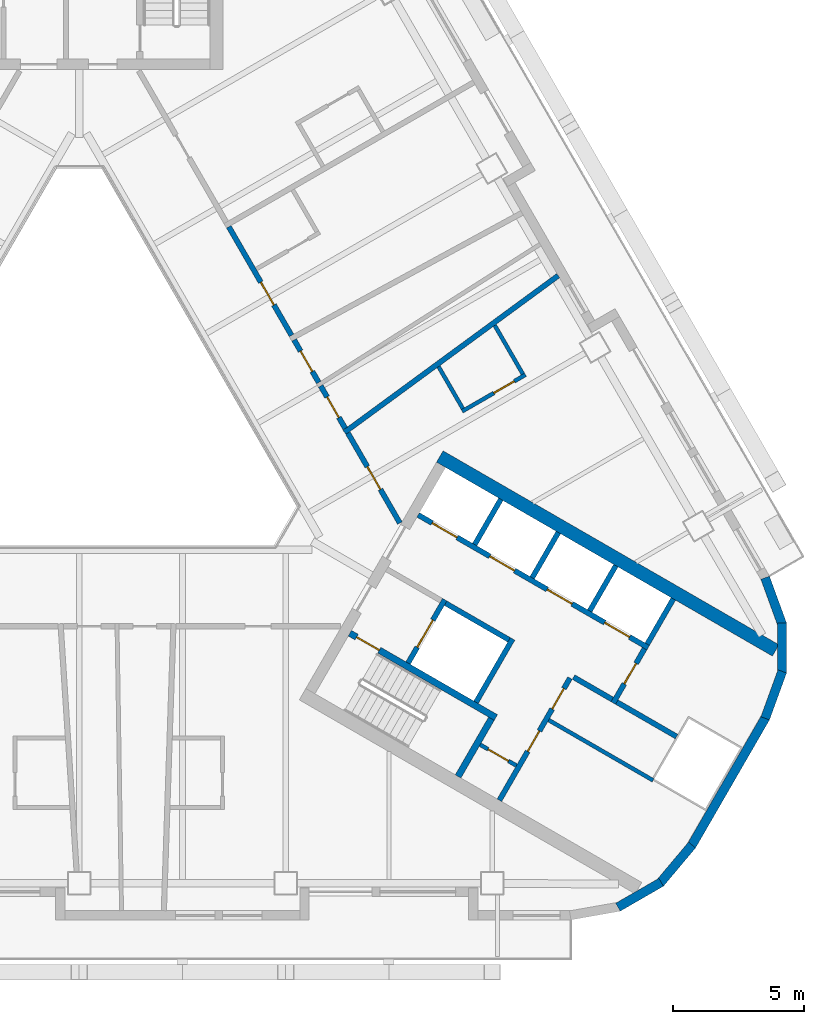
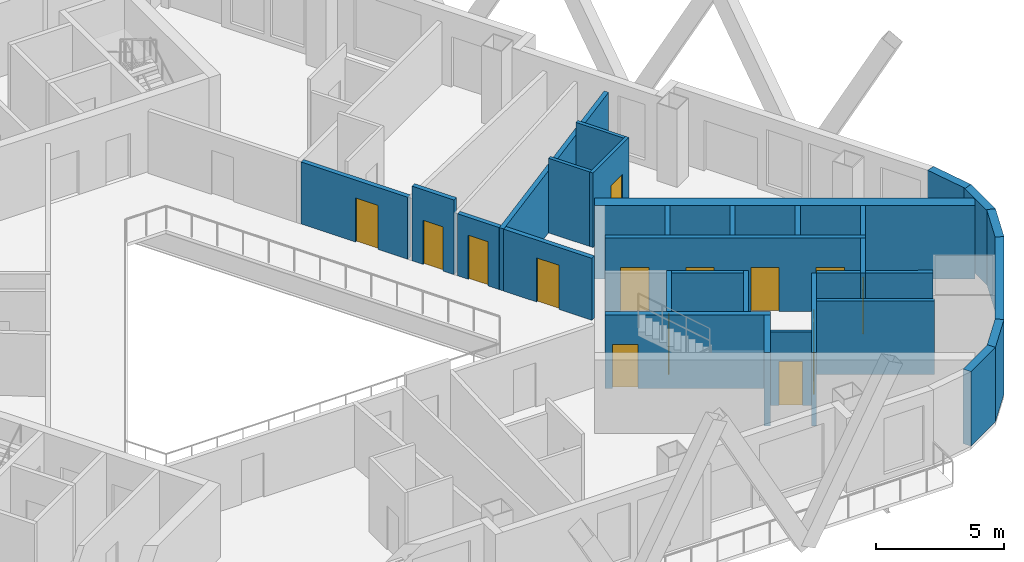
# One storey, part 5 of 14: 31 walls, 15 doors, 15 openings.
"""IFC4 building model written with IfcOpenShell, lengths in metres."""

from ifc_helpers import new_model, si_unit, direction, frame, frame_2d, origin, place, context, subcontext, project, spatial, rectangle, extrude, material, layer, layer_set, type_object, element, fill, save


model = new_model("IFC4")

# Units and contexts
model_context = context("Model", 3, precision=1e-05, world=origin(), true_north=direction((0.0, 1.0)))
body_context = subcontext(model_context, "Body", "Model", "MODEL_VIEW")
ifc_project = project(units=[si_unit("LENGTHUNIT", "METRE"), si_unit("AREAUNIT", "SQUARE_METRE"), si_unit("VOLUMEUNIT", "CUBIC_METRE"), si_unit("PLANEANGLEUNIT", "RADIAN"), si_unit("MASSUNIT", "GRAM", prefix="KILO")], contexts=[model_context])

# Site, building, storey
site_placement = place(None, origin())
site = spatial("IfcSite", under=ifc_project, at=site_placement, CompositionType="ELEMENT")
building_placement = place(site_placement, origin())
building = spatial("IfcBuilding", under=site, at=building_placement, Name="Apuvela Tower Hotel", CompositionType="ELEMENT")
storey_placement = place(building_placement, frame((0.0, 0.0, 113.10009765625)))
storey = spatial("IfcBuildingStorey", under=building, at=storey_placement, Name="L26", CompositionType="ELEMENT", Elevation=113.10009765625)

# Wall
ifc_material_1 = material(Name="Concrete C50/60", Category="concrete")
ifc_layer_1 = layer(ifc_material_1, 0.5)
ifc_layer_set_1 = layer_set([ifc_layer_1], Name="COR-WALL-CORE-500")
wall_type_1 = type_object("IfcWallType", Name="COR-WALL-CORE-500", PredefinedType="SHEAR", material=ifc_layer_set_1)
wall_1_placement = place(storey_placement, frame((13.796630859375, -1.9033203125, 0.0), z_axis=(0.0, 0.0, 1.0), x_axis=(0.866025009528, -0.500000682871, 0.0)))
element("IfcWall", 1, at=wall_1_placement, inside=storey, type_object=wall_type_1, Name="Core wall SE", PredefinedType="SHEAR", context=body_context, shape_type="SweptSolid", body=[
    extrude(rectangle(XDim=14.8369140625, YDim=0.5, at=frame_2d((7.41845703125, 0.0))), origin(), (0.0, 0.0, 1.0), 3.5),
])

# Wall, opening, door
ifc_material_2 = material(Name="Blockwork 150 mm plastered", Category="masonry")
ifc_layer_2 = layer(ifc_material_2, 0.14990234375)
ifc_layer_set_2 = layer_set([ifc_layer_2], Name="COR-WALL-PART-150")
wall_type_2 = type_object("IfcWallType", Name="COR-WALL-PART-150", PredefinedType="PARTITIONING", material=ifc_layer_set_2)
wall_2_placement = place(storey_placement, frame((15.341552734375, -12.927734375, 0.0), z_axis=(0.0, 0.0, 1.0), x_axis=(0.865989903783, -0.500061482766, 0.0)))
wall_2 = element("IfcWall", 2, at=wall_2_placement, inside=storey, type_object=wall_type_2, Name="Partition SE", PredefinedType="PARTITIONING", context=body_context, shape_type="SweptSolid", body=[
    extrude(rectangle(XDim=1.599853515625, YDim=0.14990234375, at=frame_2d((0.7998046875, 0.0))), origin(), (0.0, 0.0, 1.0), 3.5),
])
opening_1_placement = place(wall_2_placement, frame((0.35009765625, 0.0, 0.0)))
opening_1 = element("IfcOpeningElement", 3, at=opening_1_placement, cuts=wall_2, Name="Opening E-RD", PredefinedType="OPENING", context=body_context, shape_type="SweptSolid", body=[
    extrude(rectangle(XDim=0.89990234375, YDim=2.10009765625, at=frame_2d((0.449951171875, 1.050048828125))), frame((0.0, 0.0849609375, 0.0), z_axis=(0.0, -1.0, 0.0), x_axis=(1.0, 0.0, 0.0)), (0.0, 0.0, 1.0), 0.169921875),
])
ifc_material_3 = material(Name="Steel access door, powder coated", Category="steel")
door_type_1 = type_object("IfcDoorType", Name="COR-RD-900", OperationType="NOTDEFINED", PredefinedType="DOOR", material=ifc_material_3)
door_1_placement = place(opening_1_placement, frame((0.89990234375, 0.0, 0.0), z_axis=(0.0, 0.0, 1.0), x_axis=(-1.0, 0.0, 0.0)))
door_1 = element("IfcDoor", 4, at=door_1_placement, inside=storey, type_object=door_type_1, Name="Riser door E-RD", OperationType="SINGLE_SWING_LEFT", OverallHeight=2.10009765625, OverallWidth=0.89990234375, PredefinedType="DOOR", context=body_context, shape_type="SweptSolid", body=[
    extrude(rectangle(XDim=0.89990234375, YDim=2.10009765625, at=frame_2d((0.449951171875, 1.050048828125))), frame((0.0, 0.02490234375, 0.0), z_axis=(0.0, -1.0, 0.0), x_axis=(1.0, 0.0, 0.0)), (0.0, 0.0, 1.0), 0.050048828125),
])
fill(opening_1, door_1)

# Wall
wall_3_placement = place(storey_placement, frame((17.962890625, -11.9873046875, 0.0), z_axis=(0.0, 0.0, 1.0), x_axis=(0.865998608524, -0.500046407882, 0.0)))
element("IfcWall", 5, at=wall_3_placement, inside=storey, type_object=wall_type_2, Name="Partition SE", PredefinedType="PARTITIONING", context=body_context, shape_type="SweptSolid", body=[
    extrude(rectangle(XDim=4.60986328125, YDim=0.14990234375, at=frame_2d((2.304931640625, 0.0))), origin(), (0.0, 0.0, 1.0), 3.5),
])

# Wall, openings, doors
ifc_material_4 = material(Name="Blockwork 200 mm plastered", Category="masonry")
ifc_layer_3 = layer(ifc_material_4, 0.199951171875)
ifc_layer_set_3 = layer_set([ifc_layer_3], Name="COR-WALL-PART-200")
wall_type_3 = type_object("IfcWallType", Name="COR-WALL-PART-200", PredefinedType="PARTITIONING", material=ifc_layer_set_3)
wall_4_placement = place(storey_placement, frame((16.076171875, -15.05517578125, 0.0), z_axis=(0.0, 0.0, 1.0), x_axis=(0.499995103361, 0.866028230842, 0.0)))
wall_4 = element("IfcWall", 6, at=wall_4_placement, inside=storey, type_object=wall_type_3, Name="Partition SE", PredefinedType="PARTITIONING", context=body_context, shape_type="SweptSolid", body=[
    extrude(rectangle(XDim=5.39990234375, YDim=0.199951171875, at=frame_2d((2.699951171875, 0.0))), origin(), (0.0, 0.0, 1.0), 3.5),
])
opening_2_placement = place(wall_4_placement, frame((2.16259765625, 0.0, 0.0)))
opening_2 = element("IfcOpeningElement", 7, at=opening_2_placement, cuts=wall_4, Name="Opening E-RS1", PredefinedType="OPENING", context=body_context, shape_type="SweptSolid", body=[
    extrude(rectangle(XDim=0.89990234375, YDim=2.10009765625, at=frame_2d((0.449951171875, 1.050048828125))), frame((0.0, 0.10986328125, 0.0), z_axis=(0.0, -1.0, 0.0), x_axis=(1.0, 0.0, 0.0)), (0.0, 0.0, 1.0), 0.219970703125),
])
opening_3_placement = place(wall_4_placement, frame((4.03759765625, 0.0, 0.0)))
opening_3 = element("IfcOpeningElement", 8, at=opening_3_placement, cuts=wall_4, Name="Opening E-RS2", PredefinedType="OPENING", context=body_context, shape_type="SweptSolid", body=[
    extrude(rectangle(XDim=0.89990234375, YDim=2.10009765625, at=frame_2d((0.449951171875, 1.050048828125))), frame((0.0, 0.10986328125, 0.0), z_axis=(0.0, -1.0, 0.0), x_axis=(1.0, 0.0, 0.0)), (0.0, 0.0, 1.0), 0.219970703125),
])
ifc_material_5 = material(Name="Steel fire door, powder coated", Category="steel")
door_type_2 = type_object("IfcDoorType", Name="COR-DR-900", OperationType="NOTDEFINED", PredefinedType="DOOR", material=ifc_material_5)
door_2_placement = place(opening_2_placement, frame((0.89990234375, 0.0, 0.0), z_axis=(0.0, 0.0, 1.0), x_axis=(-1.0, 0.0, 0.0)))
door_2 = element("IfcDoor", 9, at=door_2_placement, inside=storey, type_object=door_type_2, Name="Store door E-RS1", OperationType="SINGLE_SWING_LEFT", OverallHeight=2.10009765625, OverallWidth=0.89990234375, PredefinedType="DOOR", context=body_context, shape_type="SweptSolid", body=[
    extrude(rectangle(XDim=0.89990234375, YDim=2.10009765625, at=frame_2d((0.449951171875, 1.050048828125))), frame((0.0, 0.02490234375, 0.0), z_axis=(0.0, -1.0, 0.0), x_axis=(1.0, 0.0, 0.0)), (0.0, 0.0, 1.0), 0.050048828125),
])
fill(opening_2, door_2)
door_3_placement = place(opening_3_placement, frame((0.89990234375, 0.0, 0.0), z_axis=(0.0, 0.0, 1.0), x_axis=(-1.0, 0.0, 0.0)))
door_3 = element("IfcDoor", 10, at=door_3_placement, inside=storey, type_object=door_type_2, Name="Store door E-RS2", OperationType="SINGLE_SWING_LEFT", OverallHeight=2.10009765625, OverallWidth=0.89990234375, PredefinedType="DOOR", context=body_context, shape_type="SweptSolid", body=[
    extrude(rectangle(XDim=0.89990234375, YDim=2.10009765625, at=frame_2d((0.449951171875, 1.050048828125))), frame((0.0, 0.02490234375, 0.0), z_axis=(0.0, -1.0, 0.0), x_axis=(1.0, 0.0, 0.0)), (0.0, 0.0, 1.0), 0.050048828125),
])
fill(opening_3, door_3)

# Wall
ifc_layer_4 = layer(ifc_material_1, 0.199951171875)
ifc_layer_set_4 = layer_set([ifc_layer_4], Name="COR-WALL-SHAFT-200")
wall_type_4 = type_object("IfcWallType", Name="COR-WALL-SHAFT-200", PredefinedType="SHEAR", material=ifc_layer_set_4)
wall_5_placement = place(storey_placement, frame((15.181396484375, -11.305419921875, 0.0), z_axis=(0.0, 0.0, 1.0), x_axis=(0.49994636267, 0.866056369097, 0.0)))
element("IfcWall", 11, at=wall_5_placement, inside=storey, type_object=wall_type_4, Name="Shaft wall SE", PredefinedType="SHEAR", context=body_context, shape_type="SweptSolid", body=[
    extrude(rectangle(XDim=2.800048828125, YDim=0.199951171875, at=frame_2d((1.39990234375, 0.0))), origin(), (0.0, 0.0, 1.0), 3.5),
])

# Wall, opening, door
wall_6_placement = place(storey_placement, frame((12.583251953125, -9.805419921875, 0.0), z_axis=(0.0, 0.0, 1.0), x_axis=(0.49994636267, 0.866056369097, 0.0)))
wall_6 = element("IfcWall", 12, at=wall_6_placement, inside=storey, type_object=wall_type_4, Name="Shaft wall SE", PredefinedType="SHEAR", context=body_context, shape_type="SweptSolid", body=[
    extrude(rectangle(XDim=2.800048828125, YDim=0.199951171875, at=frame_2d((1.39990234375, 0.0))), origin(), (0.0, 0.0, 1.0), 3.5),
])
opening_4_placement = place(wall_6_placement, frame((0.699951171875, 0.0, 0.0)))
opening_4 = element("IfcOpeningElement", 13, at=opening_4_placement, cuts=wall_6, Name="Opening E-LD-FS3", PredefinedType="OPENING", context=body_context, shape_type="SweptSolid", body=[
    extrude(rectangle(XDim=1.199951171875, YDim=2.10009765625, at=frame_2d((0.60009765625, 1.050048828125))), frame((0.0, 0.10986328125, 0.0), z_axis=(0.0, -1.0, 0.0), x_axis=(1.0, 0.0, 0.0)), (0.0, 0.0, 1.0), 0.219970703125),
])
ifc_material_6 = material(Name="Stainless steel lift landing door", Category="steel")
door_type_3 = type_object("IfcDoorType", Name="COR-LD-1200", OperationType="DOUBLE_DOOR_SLIDING", PredefinedType="DOOR", material=ifc_material_6)
door_4_placement = place(opening_4_placement, origin())
door_4 = element("IfcDoor", 14, at=door_4_placement, inside=storey, type_object=door_type_3, Name="Lift landing door E-LD-FS3", OperationType="DOUBLE_DOOR_SLIDING", OverallHeight=2.10009765625, OverallWidth=1.199951171875, PredefinedType="DOOR", context=body_context, shape_type="SweptSolid", body=[
    extrude(rectangle(XDim=1.199951171875, YDim=2.10009765625, at=frame_2d((0.60009765625, 1.050048828125))), frame((0.0, 0.02490234375, 0.0), z_axis=(0.0, -1.0, 0.0), x_axis=(1.0, 0.0, 0.0)), (0.0, 0.0, 1.0), 0.050048828125),
])
fill(opening_4, door_4)

# Wall
wall_7_placement = place(storey_placement, frame((14.019775390625, -7.51708984375, 0.0), z_axis=(0.0, 0.0, 1.0), x_axis=(0.866034573852, -0.49998411664, 0.0)))
element("IfcWall", 15, at=wall_7_placement, inside=storey, type_object=wall_type_4, Name="Shaft wall SE", PredefinedType="SHEAR", context=body_context, shape_type="SweptSolid", body=[
    extrude(rectangle(XDim=2.7998046875, YDim=0.199951171875, at=frame_2d((1.39990234375, 0.0))), origin(), (0.0, 0.0, 1.0), 3.5),
])

# Wall, openings, doors
wall_8_placement = place(storey_placement, frame((12.968017578125, -4.138427734375, 0.0), z_axis=(0.0, 0.0, 1.0), x_axis=(0.866028328073, -0.49999493495, 0.0)))
wall_8 = element("IfcWall", 16, at=wall_8_placement, inside=storey, type_object=wall_type_4, Name="Shaft wall SE", PredefinedType="SHEAR", context=body_context, shape_type="SweptSolid", body=[
    extrude(rectangle(XDim=10.16015625, YDim=0.199951171875, at=frame_2d((5.080078125, 0.0))), origin(), (0.0, 0.0, 1.0), 3.5),
])
opening_5_placement = place(wall_8_placement, frame((0.6201171875, 0.0, 0.0)))
opening_5 = element("IfcOpeningElement", 17, at=opening_5_placement, cuts=wall_8, Name="Opening E-LD-LR1", PredefinedType="OPENING", context=body_context, shape_type="SweptSolid", body=[
    extrude(rectangle(XDim=1.10009765625, YDim=2.10009765625, at=frame_2d((0.550048828125, 1.050048828125))), frame((0.0, 0.10986328125, 0.0), z_axis=(0.0, -1.0, 0.0), x_axis=(1.0, 0.0, 0.0)), (0.0, 0.0, 1.0), 0.219970703125),
])
opening_6_placement = place(wall_8_placement, frame((3.159912109375, 0.0, 0.0)))
opening_6 = element("IfcOpeningElement", 18, at=opening_6_placement, cuts=wall_8, Name="Opening E-LD-LR2", PredefinedType="OPENING", context=body_context, shape_type="SweptSolid", body=[
    extrude(rectangle(XDim=1.10009765625, YDim=2.10009765625, at=frame_2d((0.550048828125, 1.050048828125))), frame((0.0, 0.10986328125, 0.0), z_axis=(0.0, -1.0, 0.0), x_axis=(1.0, 0.0, 0.0)), (0.0, 0.0, 1.0), 0.219970703125),
])
opening_7_placement = place(wall_8_placement, frame((5.699951171875, 0.0, 0.0)))
opening_7 = element("IfcOpeningElement", 19, at=opening_7_placement, cuts=wall_8, Name="Opening E-LD-LR3", PredefinedType="OPENING", context=body_context, shape_type="SweptSolid", body=[
    extrude(rectangle(XDim=1.10009765625, YDim=2.10009765625, at=frame_2d((0.550048828125, 1.050048828125))), frame((0.0, 0.10986328125, 0.0), z_axis=(0.0, -1.0, 0.0), x_axis=(1.0, 0.0, 0.0)), (0.0, 0.0, 1.0), 0.219970703125),
])
opening_8_placement = place(wall_8_placement, frame((8.239990234375, 0.0, 0.0)))
opening_8 = element("IfcOpeningElement", 20, at=opening_8_placement, cuts=wall_8, Name="Opening E-LD-LR4", PredefinedType="OPENING", context=body_context, shape_type="SweptSolid", body=[
    extrude(rectangle(XDim=1.10009765625, YDim=2.10009765625, at=frame_2d((0.550048828125, 1.050048828125))), frame((0.0, 0.10986328125, 0.0), z_axis=(0.0, -1.0, 0.0), x_axis=(1.0, 0.0, 0.0)), (0.0, 0.0, 1.0), 0.219970703125),
])
door_type_4 = type_object("IfcDoorType", Name="COR-LD-1100", OperationType="DOUBLE_DOOR_SLIDING", PredefinedType="DOOR", material=ifc_material_6)
door_5_placement = place(opening_5_placement, origin())
door_5 = element("IfcDoor", 21, at=door_5_placement, inside=storey, type_object=door_type_4, Name="Lift landing door E-LD-LR1", OperationType="DOUBLE_DOOR_SLIDING", OverallHeight=2.10009765625, OverallWidth=1.10009765625, PredefinedType="DOOR", context=body_context, shape_type="SweptSolid", body=[
    extrude(rectangle(XDim=1.10009765625, YDim=2.10009765625, at=frame_2d((0.550048828125, 1.050048828125))), frame((0.0, 0.02490234375, 0.0), z_axis=(0.0, -1.0, 0.0), x_axis=(1.0, 0.0, 0.0)), (0.0, 0.0, 1.0), 0.050048828125),
])
fill(opening_5, door_5)
door_6_placement = place(opening_6_placement, origin())
door_6 = element("IfcDoor", 22, at=door_6_placement, inside=storey, type_object=door_type_4, Name="Lift landing door E-LD-LR2", OperationType="DOUBLE_DOOR_SLIDING", OverallHeight=2.10009765625, OverallWidth=1.10009765625, PredefinedType="DOOR", context=body_context, shape_type="SweptSolid", body=[
    extrude(rectangle(XDim=1.10009765625, YDim=2.10009765625, at=frame_2d((0.550048828125, 1.050048828125))), frame((0.0, 0.02490234375, 0.0), z_axis=(0.0, -1.0, 0.0), x_axis=(1.0, 0.0, 0.0)), (0.0, 0.0, 1.0), 0.050048828125),
])
fill(opening_6, door_6)
door_7_placement = place(opening_7_placement, origin())
door_7 = element("IfcDoor", 23, at=door_7_placement, inside=storey, type_object=door_type_4, Name="Lift landing door E-LD-LR3", OperationType="DOUBLE_DOOR_SLIDING", OverallHeight=2.10009765625, OverallWidth=1.10009765625, PredefinedType="DOOR", context=body_context, shape_type="SweptSolid", body=[
    extrude(rectangle(XDim=1.10009765625, YDim=2.10009765625, at=frame_2d((0.550048828125, 1.050048828125))), frame((0.0, 0.02490234375, 0.0), z_axis=(0.0, -1.0, 0.0), x_axis=(1.0, 0.0, 0.0)), (0.0, 0.0, 1.0), 0.050048828125),
])
fill(opening_7, door_7)
door_8_placement = place(opening_8_placement, origin())
door_8 = element("IfcDoor", 24, at=door_8_placement, inside=storey, type_object=door_type_4, Name="Lift landing door E-LD-LR4", OperationType="DOUBLE_DOOR_SLIDING", OverallHeight=2.10009765625, OverallWidth=1.10009765625, PredefinedType="DOOR", context=body_context, shape_type="SweptSolid", body=[
    extrude(rectangle(XDim=1.10009765625, YDim=2.10009765625, at=frame_2d((0.550048828125, 1.050048828125))), frame((0.0, 0.02490234375, 0.0), z_axis=(0.0, -1.0, 0.0), x_axis=(1.0, 0.0, 0.0)), (0.0, 0.0, 1.0), 0.050048828125),
])
fill(opening_8, door_8)

# Wall, opening, door
wall_9_placement = place(storey_placement, frame((20.430419921875, -11.33349609375, 0.0), z_axis=(0.0, 0.0, 1.0), x_axis=(0.500001309137, 0.866024647952, 0.0)))
wall_9 = element("IfcWall", 25, at=wall_9_placement, inside=storey, type_object=wall_type_4, Name="Shaft wall SE", PredefinedType="SHEAR", context=body_context, shape_type="SweptSolid", body=[
    extrude(rectangle(XDim=2.39990234375, YDim=0.199951171875, at=frame_2d((1.199951171875, 0.0))), origin(), (0.0, 0.0, 1.0), 3.5),
])
opening_9_placement = place(wall_9_placement, frame((0.85009765625, 0.0, 0.0)))
opening_9 = element("IfcOpeningElement", 26, at=opening_9_placement, cuts=wall_9, Name="Opening E-REP", PredefinedType="OPENING", context=body_context, shape_type="SweptSolid", body=[
    extrude(rectangle(XDim=0.89990234375, YDim=2.10009765625, at=frame_2d((0.449951171875, 1.050048828125))), frame((0.0, 0.10986328125, 0.0), z_axis=(0.0, -1.0, 0.0), x_axis=(1.0, 0.0, 0.0)), (0.0, 0.0, 1.0), 0.219970703125),
])
door_9_placement = place(opening_9_placement, frame((0.89990234375, 0.0, 0.0), z_axis=(0.0, 0.0, 1.0), x_axis=(-1.0, 0.0, 0.0)))
door_9 = element("IfcDoor", 27, at=door_9_placement, inside=storey, type_object=door_type_2, Name="Store door E-REP", OperationType="SINGLE_SWING_RIGHT", OverallHeight=2.10009765625, OverallWidth=0.89990234375, PredefinedType="DOOR", context=body_context, shape_type="SweptSolid", body=[
    extrude(rectangle(XDim=0.89990234375, YDim=2.10009765625, at=frame_2d((0.449951171875, 1.050048828125))), frame((0.0, 0.02490234375, 0.0), z_axis=(0.0, -1.0, 0.0), x_axis=(1.0, 0.0, 0.0)), (0.0, 0.0, 1.0), 0.050048828125),
])
fill(opening_9, door_9)

# Walls
wall_10_placement = place(storey_placement, frame((18.912841796875, -10.342041015625, 0.0), z_axis=(0.0, 0.0, 1.0), x_axis=(0.866038183914, -0.499977863513, 0.0)))
element("IfcWall", 28, at=wall_10_placement, inside=storey, type_object=wall_type_4, Name="Shaft wall SE", PredefinedType="SHEAR", context=body_context, shape_type="SweptSolid", body=[
    extrude(rectangle(XDim=1.7099609375, YDim=0.199951171875, at=frame_2d((0.85498046875, 0.0))), origin(), (0.0, 0.0, 1.0), 3.5),
])
for number, where, z_axis, x_axis, name in (
    (29, (15.131103515625, -5.27197265625, 0.0), (0.0, 0.0, 1.0), (0.499972520799, 0.866041268327, 0.0), "Shaft wall SE"),
    (30, (17.330810546875, -6.5419921875, 0.0), (0.0, 0.0, 1.0), (0.499972520799, 0.866041268327, 0.0), "Shaft wall SE"),
    (31, (19.530517578125, -7.81201171875, 0.0), (0.0, 0.0, 1.0), (0.499972520799, 0.866041268327, 0.0), "Shaft wall SE"),
    (32, (21.73046875, -9.081787109375, 0.0), (0.0, 0.0, 1.0), (0.50002537861, 0.866010750942, 0.0), "Shaft wall SE"),
):
    element("IfcWall", number, at=place(storey_placement, frame(where, z_axis=z_axis, x_axis=x_axis)), inside=storey, type_object=wall_type_4, Name=name, PredefinedType="SHEAR", context=body_context, shape_type="SweptSolid", body=[
        extrude(rectangle(XDim=2.0, YDim=0.199951171875, at=frame_2d((1.0, 0.0))), origin(), (0.0, 0.0, 1.0), 3.5),
    ])
wall_11_placement = place(storey_placement, frame((20.56689453125, -11.297119140625, 0.0), z_axis=(0.0, 0.0, 1.0), x_axis=(0.866060851709, -0.499938597367, 0.0)))
element("IfcWall", 33, at=wall_11_placement, inside=storey, type_object=wall_type_4, Name="Shaft wall SE", PredefinedType="SHEAR", context=body_context, shape_type="SweptSolid", body=[
    extrude(rectangle(XDim=2.639892578125, YDim=0.199951171875, at=frame_2d((1.31982421875, 0.0))), origin(), (0.0, 0.0, 1.0), 3.5),
])

# Wall, opening, door
ifc_layer_5 = layer(ifc_material_1, 0.25)
ifc_layer_set_5 = layer_set([ifc_layer_5], Name="COR-WALL-STAIR-250")
wall_type_5 = type_object("IfcWallType", Name="COR-WALL-STAIR-250", PredefinedType="SHEAR", material=ifc_layer_set_5)
wall_12_placement = place(storey_placement, frame((10.355712890625, -8.66357421875, 0.0), z_axis=(0.0, 0.0, 1.0), x_axis=(0.866028629588, -0.499994412703, 0.0)))
wall_12 = element("IfcWall", 34, at=wall_12_placement, inside=storey, type_object=wall_type_5, Name="Stair wall SE", PredefinedType="SHEAR", context=body_context, shape_type="SweptSolid", body=[
    extrude(rectangle(XDim=6.44970703125, YDim=0.25, at=frame_2d((3.224853515625, 0.0))), origin(), (0.0, 0.0, 1.0), 3.5),
])
opening_10_placement = place(wall_12_placement, frame((0.300048828125, 0.0, 0.0)))
opening_10 = element("IfcOpeningElement", 35, at=opening_10_placement, cuts=wall_12, Name="Opening E-SD", PredefinedType="OPENING", context=body_context, shape_type="SweptSolid", body=[
    extrude(rectangle(XDim=1.0, YDim=2.10009765625, at=frame_2d((0.5, 1.050048828125))), frame((0.0, 0.135009765625, 0.0), z_axis=(0.0, -1.0, 0.0), x_axis=(1.0, 0.0, 0.0)), (0.0, 0.0, 1.0), 0.27001953125),
])
door_type_5 = type_object("IfcDoorType", Name="COR-SD-1000", OperationType="NOTDEFINED", PredefinedType="DOOR", material=ifc_material_5)
door_10_placement = place(opening_10_placement, frame((1.0, 0.0, 0.0), z_axis=(0.0, 0.0, 1.0), x_axis=(-1.0, 0.0, 0.0)))
door_10 = element("IfcDoor", 36, at=door_10_placement, inside=storey, type_object=door_type_5, Name="Stair door E-SD", OperationType="SINGLE_SWING_LEFT", OverallHeight=2.10009765625, OverallWidth=1.0, PredefinedType="DOOR", context=body_context, shape_type="SweptSolid", body=[
    extrude(rectangle(XDim=1.0, YDim=2.10009765625, at=frame_2d((0.5, 1.050048828125))), frame((0.0, 0.02490234375, 0.0), z_axis=(0.0, -1.0, 0.0), x_axis=(1.0, 0.0, 0.0)), (0.0, 0.0, 1.0), 0.050048828125),
])
fill(opening_10, door_10)

# Walls
wall_13_placement = place(storey_placement, frame((14.49560546875, -14.142578125, 0.0), z_axis=(0.0, 0.0, 1.0), x_axis=(0.500062241894, 0.865989465428, 0.0)))
element("IfcWall", 37, at=wall_13_placement, inside=storey, type_object=wall_type_5, Name="Stair wall SE", PredefinedType="SHEAR", context=body_context, shape_type="SweptSolid", body=[
    extrude(rectangle(XDim=2.550048828125, YDim=0.25, at=frame_2d((1.27490234375, 0.0))), origin(), (0.0, 0.0, 1.0), 3.5),
])
ifc_material_7 = material(Name="Concrete C40/50, dark pigmented precast panel", Category="concrete")
ifc_layer_6 = layer(ifc_material_7, 0.35009765625)
ifc_layer_set_6 = layer_set([ifc_layer_6], Name="ENV-WALL-350")
wall_type_6 = type_object("IfcWallType", Name="ENV-WALL-350", PredefinedType="SOLIDWALL", material=ifc_layer_set_6)
for number, where, z_axis, x_axis, name in (
    (38, (20.609619140625, -19.146728515625, 0.0), (0.0, 0.0, 1.0), (0.866000389056, 0.500043324278, 0.0), "External wall L26-27"),
    (39, (22.21728515625, -18.230712890625, 0.0), (0.0, 0.0, 1.0), (0.642733291068, 0.76609001857, 0.0), "External wall L26-28"),
):
    element("IfcWall", number, at=place(storey_placement, frame(where, z_axis=z_axis, x_axis=x_axis)), inside=storey, type_object=wall_type_6, Name=name, PredefinedType="SOLIDWALL", context=body_context, shape_type="SweptSolid", body=[
        extrude(rectangle(XDim=1.909912109375, YDim=0.35009765625, at=frame_2d((0.955078125, 0.0))), origin(), (0.0, 0.0, 1.0), 3.5498046875),
    ])
wall_14_placement = place(storey_placement, frame((23.427490234375, -16.79248046875, 0.0), z_axis=(0.0, 0.0, 1.0), x_axis=(0.500018773155, 0.866014564827, 0.0)))
element("IfcWall", 40, at=wall_14_placement, inside=storey, type_object=wall_type_6, Name="External wall L26-29", PredefinedType="SOLIDWALL", context=body_context, shape_type="SweptSolid", body=[
    extrude(rectangle(XDim=5.657958984375, YDim=0.35009765625, at=frame_2d((2.8291015625, 0.0))), origin(), (0.0, 0.0, 1.0), 3.5498046875),
])
for number, where, z_axis, x_axis, name in (
    (41, (26.24365234375, -11.920166015625, 0.0), (0.0, 0.0, 1.0), (0.342030395486, 0.939688889242, 0.0), "External wall L26-30"),
    (42, (26.88623046875, -10.18505859375, 0.0), (0.0, 0.0, 1.0), (0.0, 1.0, 0.0), "External wall L26-31"),
    (43, (26.89697265625, -8.334716796875, 0.0), (0.0, 0.0, 1.0), (-0.342030395486, 0.939688889242, 0.0), "External wall L26-32"),
):
    element("IfcWall", number, at=place(storey_placement, frame(where, z_axis=z_axis, x_axis=x_axis)), inside=storey, type_object=wall_type_6, Name=name, PredefinedType="SOLIDWALL", context=body_context, shape_type="SweptSolid", body=[
        extrude(rectangle(XDim=1.91015625, YDim=0.35009765625, at=frame_2d((0.955078125, 0.0))), origin(), (0.0, 0.0, 1.0), 3.5498046875),
    ])
ifc_material_8 = material(Name="Gypsum board partition on twin steel stud", Category="steel")
ifc_layer_7 = layer(ifc_material_8, 0.199951171875)
ifc_layer_set_7 = layer_set([ifc_layer_7], Name="GST-PW1")
wall_type_7 = type_object("IfcWallType", Name="GST-PW1", PredefinedType="PARTITIONING", material=ifc_layer_set_7)
wall_15_placement = place(storey_placement, frame((18.326904296875, 5.01708984375, 0.0), z_axis=(0.0, 0.0, 1.0), x_axis=(-0.806479235934, -0.59126241383, 0.0)))
element("IfcWall", 44, at=wall_15_placement, inside=storey, type_object=wall_type_7, Name="L26 partition 03", PredefinedType="PARTITIONING", context=body_context, shape_type="SweptSolid", body=[
    extrude(rectangle(XDim=10.140380859375, YDim=0.199951171875, at=frame_2d((5.0703125, 0.0))), origin(), (0.0, 0.0, 1.0), 2.9599609375),
])

# Wall, opening, door
ifc_material_9 = material(Name="Gypsum board corridor wall on twin steel stud, acoustic", Category="steel")
ifc_layer_8 = layer(ifc_material_9, 0.199951171875)
ifc_layer_set_8 = layer_set([ifc_layer_8], Name="GST-PW2")
wall_type_8 = type_object("IfcWallType", Name="GST-PW2", PredefinedType="PARTITIONING", material=ifc_layer_set_8)
wall_16_placement = place(storey_placement, frame((10.280517578125, -1.006103515625, 0.0), z_axis=(0.0, 0.0, 1.0), x_axis=(0.499995262016, -0.866028139243, 0.0)))
wall_16 = element("IfcWall", 45, at=wall_16_placement, inside=storey, type_object=wall_type_8, Name="L26 partition 19", PredefinedType="PARTITIONING", context=body_context, shape_type="SweptSolid", body=[
    extrude(rectangle(XDim=3.9765625, YDim=0.199951171875, at=frame_2d((1.98828125, 0.0))), origin(), (0.0, 0.0, 1.0), 2.949951171875),
])
opening_11_placement = place(wall_16_placement, frame((1.48828125, 0.0, 0.0)))
opening_11 = element("IfcOpeningElement", 46, at=opening_11_placement, cuts=wall_16, Name="Opening GD09-08", PredefinedType="OPENING", context=body_context, shape_type="SweptSolid", body=[
    extrude(rectangle(XDim=1.0, YDim=2.10009765625, at=frame_2d((0.5, 1.050048828125))), frame((0.0, 0.10986328125, 0.0), z_axis=(0.0, -1.0, 0.0), x_axis=(1.0, 0.0, 0.0)), (0.0, 0.0, 1.0), 0.219970703125),
])
ifc_material_10 = material(Name="Timber door leaf in steel frame", Category="steel")
door_type_6 = type_object("IfcDoorType", Name="GST-D1", OperationType="NOTDEFINED", PredefinedType="DOOR", material=ifc_material_10)
door_11_placement = place(opening_11_placement, origin())
door_11 = element("IfcDoor", 47, at=door_11_placement, inside=storey, type_object=door_type_6, Name="Door L26-08", OperationType="SINGLE_SWING_LEFT", OverallHeight=2.10009765625, OverallWidth=1.0, PredefinedType="DOOR", context=body_context, shape_type="SweptSolid", body=[
    extrude(rectangle(XDim=1.0, YDim=2.10009765625, at=frame_2d((0.5, 1.050048828125))), frame((0.0, 0.02490234375, 0.0), z_axis=(0.0, -1.0, 0.0), x_axis=(1.0, 0.0, 0.0)), (0.0, 0.0, 1.0), 0.050048828125),
])
fill(opening_11, door_11)

wall_17_placement = place(storey_placement, frame((9.2392578125, 0.797119140625, 0.0), z_axis=(0.0, 0.0, 1.0), x_axis=(0.499992114976, -0.866029956157, 0.0)))
wall_17 = element("IfcWall", 48, at=wall_17_placement, inside=storey, type_object=wall_type_8, Name="L26 partition 24", PredefinedType="PARTITIONING", context=body_context, shape_type="SweptSolid", body=[
    extrude(rectangle(XDim=1.880859375, YDim=0.199951171875, at=frame_2d((0.9404296875, 0.0))), origin(), (0.0, 0.0, 1.0), 2.949951171875),
])
opening_12_placement = place(wall_17_placement, frame((0.490478515625, 0.0, 0.0)))
opening_12 = element("IfcOpeningElement", 49, at=opening_12_placement, cuts=wall_17, Name="Opening GD09-09", PredefinedType="OPENING", context=body_context, shape_type="SweptSolid", body=[
    extrude(rectangle(XDim=0.89990234375, YDim=2.10009765625, at=frame_2d((0.449951171875, 1.050048828125))), frame((0.0, 0.10986328125, 0.0), z_axis=(0.0, -1.0, 0.0), x_axis=(1.0, 0.0, 0.0)), (0.0, 0.0, 1.0), 0.219970703125),
])
door_type_7 = type_object("IfcDoorType", Name="GST-D2", OperationType="NOTDEFINED", PredefinedType="DOOR", material=ifc_material_10)
door_12_placement = place(opening_12_placement, origin())
door_12 = element("IfcDoor", 50, at=door_12_placement, inside=storey, type_object=door_type_7, Name="Door L26-09", OperationType="SINGLE_SWING_LEFT", OverallHeight=2.10009765625, OverallWidth=0.89990234375, PredefinedType="DOOR", context=body_context, shape_type="SweptSolid", body=[
    extrude(rectangle(XDim=0.89990234375, YDim=2.10009765625, at=frame_2d((0.449951171875, 1.050048828125))), frame((0.0, 0.02490234375, 0.0), z_axis=(0.0, -1.0, 0.0), x_axis=(1.0, 0.0, 0.0)), (0.0, 0.0, 1.0), 0.050048828125),
])
fill(opening_12, door_12)

wall_18_placement = place(storey_placement, frame((8.223388671875, 2.556640625, 0.0), z_axis=(0.0, 0.0, 1.0), x_axis=(0.500018191375, -0.866014900734, 0.0)))
wall_18 = element("IfcWall", 51, at=wall_18_placement, inside=storey, type_object=wall_type_8, Name="L26 partition 25", PredefinedType="PARTITIONING", context=body_context, shape_type="SweptSolid", body=[
    extrude(rectangle(XDim=1.8818359375, YDim=0.199951171875, at=frame_2d((0.94091796875, 0.0))), origin(), (0.0, 0.0, 1.0), 3.5498046875),
])
opening_13_placement = place(wall_18_placement, frame((0.49072265625, 0.0, 0.0)))
opening_13 = element("IfcOpeningElement", 52, at=opening_13_placement, cuts=wall_18, Name="Opening GD09-10", PredefinedType="OPENING", context=body_context, shape_type="SweptSolid", body=[
    extrude(rectangle(XDim=0.89990234375, YDim=2.10009765625, at=frame_2d((0.449951171875, 1.050048828125))), frame((0.0, 0.10986328125, 0.0), z_axis=(0.0, -1.0, 0.0), x_axis=(1.0, 0.0, 0.0)), (0.0, 0.0, 1.0), 0.219970703125),
])
door_13_placement = place(opening_13_placement, origin())
door_13 = element("IfcDoor", 53, at=door_13_placement, inside=storey, type_object=door_type_7, Name="Door L26-10", OperationType="SINGLE_SWING_RIGHT", OverallHeight=2.10009765625, OverallWidth=0.89990234375, PredefinedType="DOOR", context=body_context, shape_type="SweptSolid", body=[
    extrude(rectangle(XDim=0.89990234375, YDim=2.10009765625, at=frame_2d((0.449951171875, 1.050048828125))), frame((0.0, 0.02490234375, 0.0), z_axis=(0.0, -1.0, 0.0), x_axis=(1.0, 0.0, 0.0)), (0.0, 0.0, 1.0), 0.050048828125),
])
fill(opening_13, door_13)

wall_19_placement = place(storey_placement, frame((5.724609375, 6.884765625, 0.0), z_axis=(0.0, 0.0, 1.0), x_axis=(0.499986760557, -0.866033047446, 0.0)))
wall_19 = element("IfcWall", 54, at=wall_19_placement, inside=storey, type_object=wall_type_8, Name="L26 partition 26", PredefinedType="PARTITIONING", context=body_context, shape_type="SweptSolid", body=[
    extrude(rectangle(XDim=4.797607421875, YDim=0.199951171875, at=frame_2d((2.39892578125, 0.0))), origin(), (0.0, 0.0, 1.0), 2.949951171875),
])
opening_14_placement = place(wall_19_placement, frame((2.449951171875, 0.0, 0.0)))
opening_14 = element("IfcOpeningElement", 55, at=opening_14_placement, cuts=wall_19, Name="Opening GD09-12", PredefinedType="OPENING", context=body_context, shape_type="SweptSolid", body=[
    extrude(rectangle(XDim=1.0, YDim=2.10009765625, at=frame_2d((0.5, 1.050048828125))), frame((0.0, 0.10986328125, 0.0), z_axis=(0.0, -1.0, 0.0), x_axis=(1.0, 0.0, 0.0)), (0.0, 0.0, 1.0), 0.219970703125),
])
door_14_placement = place(opening_14_placement, origin())
door_14 = element("IfcDoor", 56, at=door_14_placement, inside=storey, type_object=door_type_6, Name="Door L26-12", OperationType="SINGLE_SWING_RIGHT", OverallHeight=2.10009765625, OverallWidth=1.0, PredefinedType="DOOR", context=body_context, shape_type="SweptSolid", body=[
    extrude(rectangle(XDim=1.0, YDim=2.10009765625, at=frame_2d((0.5, 1.050048828125))), frame((0.0, 0.02490234375, 0.0), z_axis=(0.0, -1.0, 0.0), x_axis=(1.0, 0.0, 0.0)), (0.0, 0.0, 1.0), 0.050048828125),
])
fill(opening_14, door_14)

ifc_material_11 = material(Name="Moisture-resistant gypsum board wet wall on steel stud", Category="steel")
ifc_layer_9 = layer(ifc_material_11, 0.14990234375)
ifc_layer_set_9 = layer_set([ifc_layer_9], Name="GST-PW3")
wall_type_9 = type_object("IfcWallType", Name="GST-PW3", PredefinedType="PARTITIONING", material=ifc_layer_set_9)
wall_20_placement = place(storey_placement, frame((14.650390625, -0.175048828125, 0.0), z_axis=(0.0, 0.0, 1.0), x_axis=(0.866034573852, 0.49998411664, 0.0)))
wall_20 = element("IfcWall", 57, at=wall_20_placement, inside=storey, type_object=wall_type_9, Name="L26 partition 20", PredefinedType="PARTITIONING", context=body_context, shape_type="SweptSolid", body=[
    extrude(rectangle(XDim=2.7998046875, YDim=0.14990234375, at=frame_2d((1.39990234375, 0.0))), origin(), (0.0, 0.0, 1.0), 3.5498046875),
])
opening_15_placement = place(wall_20_placement, frame((1.39990234375, 0.0, 0.0)))
opening_15 = element("IfcOpeningElement", 58, at=opening_15_placement, cuts=wall_20, Name="Opening GD09-07", PredefinedType="OPENING", context=body_context, shape_type="SweptSolid", body=[
    extrude(rectangle(XDim=0.89990234375, YDim=2.10009765625, at=frame_2d((0.449951171875, 1.050048828125))), frame((0.0, 0.0849609375, 0.0), z_axis=(0.0, -1.0, 0.0), x_axis=(1.0, 0.0, 0.0)), (0.0, 0.0, 1.0), 0.169921875),
])
door_15_placement = place(opening_15_placement, origin())
door_15 = element("IfcDoor", 59, at=door_15_placement, inside=storey, type_object=door_type_7, Name="Door L26-07", OperationType="SINGLE_SWING_RIGHT", OverallHeight=2.10009765625, OverallWidth=0.89990234375, PredefinedType="DOOR", context=body_context, shape_type="SweptSolid", body=[
    extrude(rectangle(XDim=0.89990234375, YDim=2.10009765625, at=frame_2d((0.449951171875, 1.050048828125))), frame((0.0, 0.02490234375, 0.0), z_axis=(0.0, -1.0, 0.0), x_axis=(1.0, 0.0, 0.0)), (0.0, 0.0, 1.0), 0.050048828125),
])
fill(opening_15, door_15)

# Walls
wall_21_placement = place(storey_placement, frame((16.97265625, 1.25244140625, 0.0), z_axis=(0.0, 0.0, 1.0), x_axis=(-0.499965131781, 0.866045534024, 0.0)))
element("IfcWall", 60, at=wall_21_placement, inside=storey, type_object=wall_type_9, Name="L26 partition 21", PredefinedType="PARTITIONING", context=body_context, shape_type="SweptSolid", body=[
    extrude(rectangle(XDim=2.148193359375, YDim=0.14990234375, at=frame_2d((1.07421875, 0.0))), origin(), (0.0, 0.0, 1.0), 3.5498046875),
])
wall_22_placement = place(storey_placement, frame((14.677734375, -0.072509765625, 0.0), z_axis=(0.0, 0.0, 1.0), x_axis=(-0.499968895414, 0.866043361281, 0.0)))
element("IfcWall", 61, at=wall_22_placement, inside=storey, type_object=wall_type_9, Name="L26 partition 22", PredefinedType="PARTITIONING", context=body_context, shape_type="SweptSolid", body=[
    extrude(rectangle(XDim=1.85791015625, YDim=0.14990234375, at=frame_2d((0.928955078125, 0.0))), origin(), (0.0, 0.0, 1.0), 3.5498046875),
])

save(model, "model.ifc")
